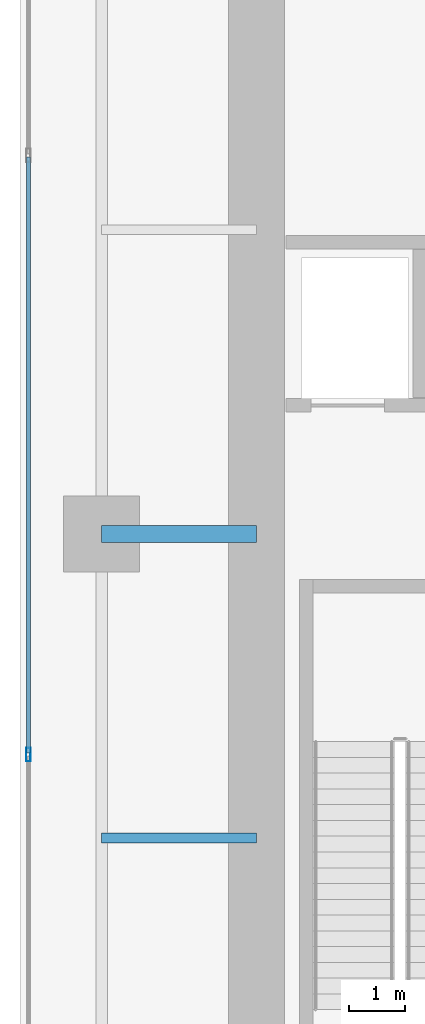
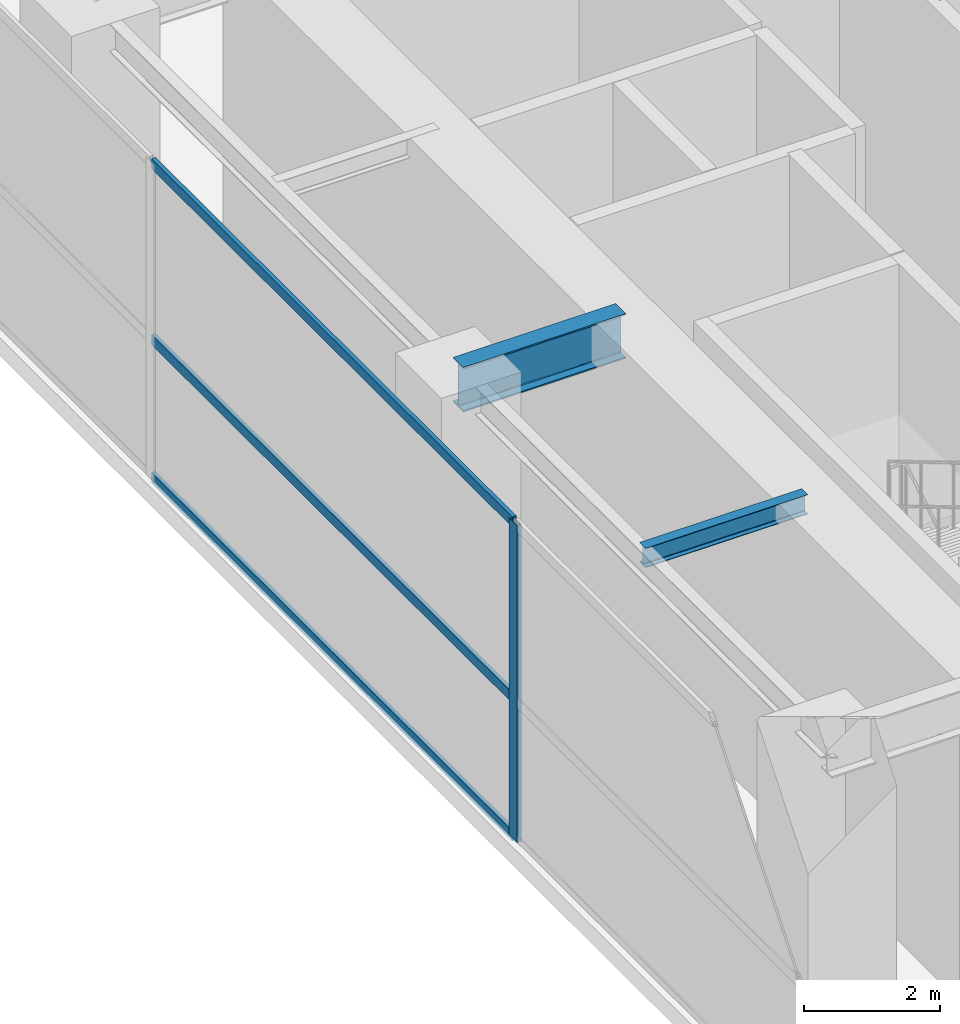
# One storey, part 9 of 35: 4 members, 2 beams, 1 element without a shape of its own.
"""IFC4 building model written with IfcOpenShell, lengths in metres."""

from ifc_helpers import new_model, si_unit, direction, frame, origin, origin_2d, place, context, subcontext, project, spatial, hollow_rectangle, i_section, extrude, material, layer, layer_set, material_profile, profile_set, type_object, element, aggregate, save


model = new_model("IFC4")

# Units and contexts
model_context = context("Model", 3, precision=1e-05, world=origin(), true_north=direction((0.0, 1.0)))
body_context = subcontext(model_context, "Body", "Model", "MODEL_VIEW")
ifc_project = project(units=[si_unit("LENGTHUNIT", "METRE"), si_unit("AREAUNIT", "SQUARE_METRE"), si_unit("VOLUMEUNIT", "CUBIC_METRE"), si_unit("PLANEANGLEUNIT", "RADIAN"), si_unit("MASSUNIT", "GRAM", prefix="KILO")], contexts=[model_context])

# Site, building, storey
site_placement = place(None, origin())
site = spatial("IfcSite", under=ifc_project, at=site_placement, CompositionType="ELEMENT")
building_placement = place(site_placement, origin())
building = spatial("IfcBuilding", under=site, at=building_placement, Name="Calvorn Quay Hotel", CompositionType="ELEMENT")
storey_placement = place(building_placement, frame((0.0, 0.0, 6.0)))
storey = spatial("IfcBuildingStorey", under=building, at=storey_placement, Name="L01", CompositionType="ELEMENT", Elevation=6.0)

# Beams
ifc_material_1 = material(Name="Steel Q390GJC", Category="steel")
ifc_material_profile_1 = material_profile(ifc_material_1, i_section(OverallWidth=0.300048828125, OverallDepth=0.800048828125, WebThickness=0.013916015625, FlangeThickness=0.02587890625, FilletRadius=0.02392578125, at=origin_2d()), Name="HN800x300x14x26")
ifc_profile_set_1 = profile_set([ifc_material_profile_1], Name="Steel Q390GJC")
beam_type_1 = type_object("IfcBeamType", Name="BM-GIRD-POD", PredefinedType="BEAM", material=ifc_profile_set_1)
beam_1_placement = place(storey_placement, frame((1.449951171875, 27.60009765625, 5.280029296875), z_axis=(1.0, 0.0, 0.0), x_axis=(0.0, 1.0, 0.0)))
element("IfcBeam", 1, at=beam_1_placement, inside=storey, type_object=beam_type_1, Name="Beam BG-L01-W2", PredefinedType="BEAM", context=body_context, shape_type="SweptSolid", body=[
    extrude(i_section(OverallWidth=0.300048828125, OverallDepth=0.800048828125, WebThickness=0.013916015625, FlangeThickness=0.02587890625, FilletRadius=0.02392578125, at=origin_2d()), origin(), (0.0, 0.0, 1.0), 2.75),
])
ifc_material_2 = material(Name="Steel Q355B", Category="steel")
ifc_material_profile_2 = material_profile(ifc_material_2, i_section(OverallWidth=0.175048828125, OverallDepth=0.35009765625, WebThickness=0.007080078125, FlangeThickness=0.010986328125, FilletRadius=0.013916015625, at=origin_2d()), Name="HN350x175x7x11")
ifc_profile_set_2 = profile_set([ifc_material_profile_2], Name="Steel Q355B")
beam_type_2 = type_object("IfcBeamType", Name="BM-JOIST-SEC", PredefinedType="JOIST", material=ifc_profile_set_2)
beam_2_placement = place(storey_placement, frame((1.449951171875, 22.199951171875, 5.5048828125), z_axis=(1.0, 0.0, 0.0), x_axis=(0.0, 1.0, 0.0)))
element("IfcBeam", 2, at=beam_2_placement, inside=storey, type_object=beam_type_2, Name="Beam BJ-L01-W3", PredefinedType="JOIST", context=body_context, shape_type="SweptSolid", body=[
    extrude(i_section(OverallWidth=0.175048828125, OverallDepth=0.35009765625, WebThickness=0.007080078125, FlangeThickness=0.010986328125, FilletRadius=0.013916015625, at=origin_2d()), origin(), (0.0, 0.0, 1.0), 2.75),
])

# Curtain wall, members
ifc_material_3 = material(Name="Pale Anodised Aluminium and Low-E Glass", Category="aluminium")
ifc_layer = layer(ifc_material_3, 0.219970703125)
ifc_layer_set = layer_set([ifc_layer], Name="CW-SYS-POD")
curtain_wall_type = type_object("IfcCurtainWallType", Name="CW-SYS-POD", PredefinedType="NOTDEFINED", material=ifc_layer_set)
curtain_wall_placement = place(storey_placement, origin())
curtain_wall = element("IfcCurtainWall", 3, at=curtain_wall_placement, inside=storey, type_object=curtain_wall_type, Name="Podium Curtain Wall L01-W1", PredefinedType="NOTDEFINED")
ifc_material_4 = material(Name="Pale Anodised Aluminium 6063-T6", Category="aluminium")
ifc_material_profile_3 = material_profile(ifc_material_4, hollow_rectangle(XDim=0.080078125, YDim=0.239990234375, WallThickness=0.0048828125, at=origin_2d()), Name="ALU-M240x80x5")
ifc_profile_set_3 = profile_set([ifc_material_profile_3], Name="Pale Anodised Aluminium 6063-T6")
member_type_1 = type_object("IfcMemberType", Name="CW-SYS-POD-MUL", PredefinedType="MULLION", material=ifc_profile_set_3)
member_1_placement = place(storey_placement, frame((0.14990234375, 23.679931640625, 0.0), z_axis=(0.0, 0.0, 1.0), x_axis=(-1.0, 0.0, 0.0)))
member_1 = element("IfcMember", 4, at=member_1_placement, type_object=member_type_1, Name="CW-L01-W1 mullion 3", PredefinedType="MULLION", context=body_context, shape_type="SweptSolid", body=[
    extrude(hollow_rectangle(XDim=0.080078125, YDim=0.239990234375, WallThickness=0.0048828125, at=origin_2d()), origin(), (0.0, 0.0, 1.0), 5.679931640625),
])
ifc_material_5 = material(Name="Pale Anodised Aluminium 6063-T6", Category="aluminium")
ifc_material_profile_4 = material_profile(ifc_material_5, hollow_rectangle(XDim=0.070068359375, YDim=0.179931640625, WallThickness=0.00390625, at=origin_2d()), Name="ALU-T180x70x4")
ifc_profile_set_4 = profile_set([ifc_material_profile_4], Name="Pale Anodised Aluminium 6063-T6")
member_type_2 = type_object("IfcMemberType", Name="CW-SYS-POD-TRN", PredefinedType="USERDEFINED", material=ifc_profile_set_4)
member_2_placement = place(storey_placement, frame((0.14990234375, 23.7099609375, 0.030029296875), z_axis=(0.0, 1.0, 0.0), x_axis=(-1.0, 0.0, 0.0)))
member_2 = element("IfcMember", 5, at=member_2_placement, type_object=member_type_2, Name="CW-L01-W1 transom 3.1", ObjectType="TRANSOM", PredefinedType="USERDEFINED", context=body_context, shape_type="SweptSolid", body=[
    extrude(hollow_rectangle(XDim=0.070068359375, YDim=0.179931640625, WallThickness=0.00390625, at=origin_2d()), origin(), (0.0, 0.0, 1.0), 10.580078125),
])
member_3_placement = place(storey_placement, frame((0.14990234375, 23.7099609375, 2.5), z_axis=(0.0, 1.0, 0.0), x_axis=(-1.0, 0.0, 0.0)))
member_3 = element("IfcMember", 6, at=member_3_placement, type_object=member_type_2, Name="CW-L01-W1 transom 3.2", ObjectType="TRANSOM", PredefinedType="USERDEFINED", context=body_context, shape_type="SweptSolid", body=[
    extrude(hollow_rectangle(XDim=0.070068359375, YDim=0.179931640625, WallThickness=0.00390625, at=origin_2d()), origin(), (0.0, 0.0, 1.0), 10.580078125),
])
member_4_placement = place(storey_placement, frame((0.14990234375, 23.7099609375, 5.64990234375), z_axis=(0.0, 1.0, 0.0), x_axis=(-1.0, 0.0, 0.0)))
member_4 = element("IfcMember", 7, at=member_4_placement, type_object=member_type_2, Name="CW-L01-W1 transom 3.3", ObjectType="TRANSOM", PredefinedType="USERDEFINED", context=body_context, shape_type="SweptSolid", body=[
    extrude(hollow_rectangle(XDim=0.070068359375, YDim=0.179931640625, WallThickness=0.00390625, at=origin_2d()), origin(), (0.0, 0.0, 1.0), 10.580078125),
])
aggregate(curtain_wall, [member_1, member_2, member_3, member_4])

save(model, "model.ifc")
